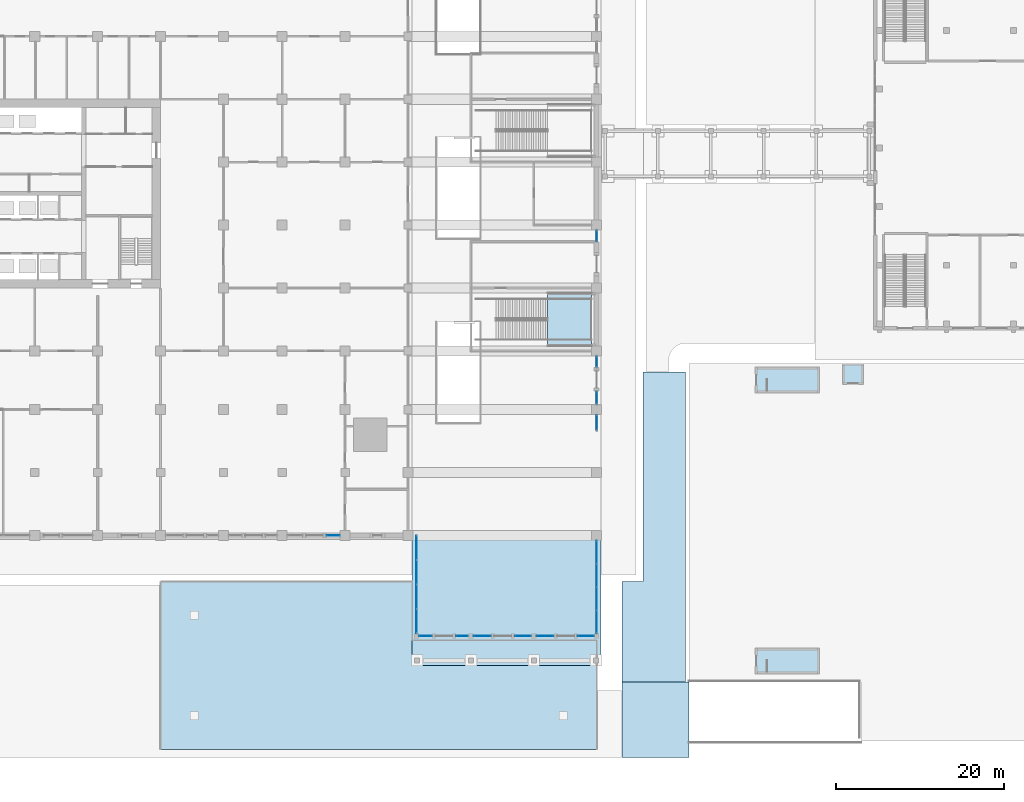
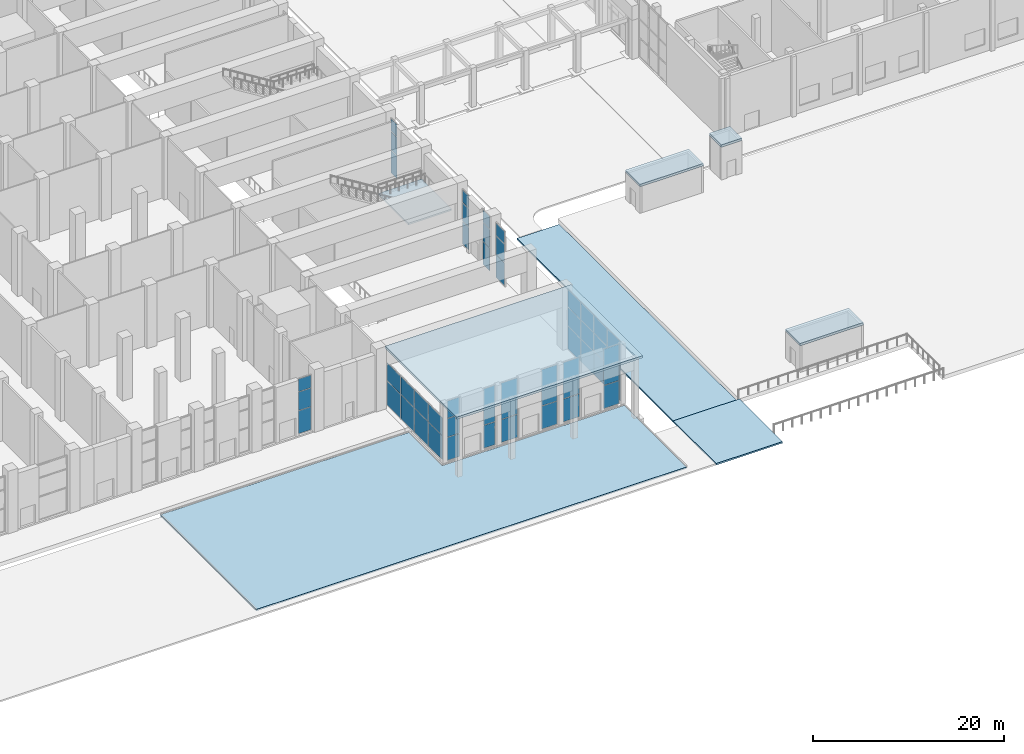
# One storey, part 19 of 57: 53 plates, 8 slabs, 14 elements without a shape of their own.
"""IFC4 building model written with IfcOpenShell, lengths in metres."""

from ifc_helpers import new_model, si_unit, direction, frame, origin, origin_2d, place, context, subcontext, project, spatial, polyline, rectangle, outline, extrude, material, layer, layer_set, type_object, element, aggregate, save


model = new_model("IFC4")

# Units and contexts
model_context = context("Model", 3, precision=1e-05, world=origin(), true_north=direction((0.0, 1.0)))
body_context = subcontext(model_context, "Body", "Model", "MODEL_VIEW")
ifc_project = project(units=[si_unit("LENGTHUNIT", "METRE"), si_unit("AREAUNIT", "SQUARE_METRE"), si_unit("VOLUMEUNIT", "CUBIC_METRE"), si_unit("PLANEANGLEUNIT", "RADIAN"), si_unit("MASSUNIT", "GRAM", prefix="KILO")], contexts=[model_context])

# Site, building, storey
site_placement = place(None, origin())
site = spatial("IfcSite", under=ifc_project, at=site_placement, CompositionType="ELEMENT")
building_placement = place(site_placement, origin())
building = spatial("IfcBuilding", under=site, at=building_placement, Name="Tamorin Gate", CompositionType="ELEMENT")
storey_placement = place(building_placement, origin())
storey = spatial("IfcBuildingStorey", under=building, at=storey_placement, Name="L00", CompositionType="ELEMENT", Elevation=0.0)

# Curtain wall, plates
ifc_material_1 = material(Name="Aluminium and glass", Category="aluminium")
ifc_layer_1 = layer(ifc_material_1, 0.199951171875)
ifc_layer_set_1 = layer_set([ifc_layer_1], Name="Station concourse glazing system")
curtain_wall_type_1 = type_object("IfcCurtainWallType", Name="Station concourse glazing system", PredefinedType="NOTDEFINED", material=ifc_layer_set_1)
curtain_wall_1_placement = place(storey_placement, origin())
curtain_wall_1 = element("IfcCurtainWall", 1, at=curtain_wall_1_placement, inside=storey, type_object=curtain_wall_type_1, Name="Station concourse glazing system L00", PredefinedType="NOTDEFINED")
ifc_material_2 = material(Name="Laminated glass", Category="glass")
ifc_layer_2 = layer(ifc_material_2, 0.028076171875)
ifc_layer_set_2 = layer_set([ifc_layer_2], Name="Concourse glass 28")
plate_type_1 = type_object("IfcPlateType", Name="Concourse glass 28", PredefinedType="CURTAIN_PANEL", material=ifc_layer_set_2)
plate_1_placement = place(storey_placement, frame((112.0, 43.949951171875, 0.080078125), z_axis=(0.0, 0.0, 1.0), x_axis=(0.0, 1.0, 0.0)))
plate_1 = element("IfcPlate", 2, at=plate_1_placement, type_object=plate_type_1, Name="CWP11 panel 1.1", PredefinedType="CURTAIN_PANEL", context=body_context, shape_type="SweptSolid", body=[
    extrude(rectangle(XDim=1.739990234375, YDim=0.028076171875, at=origin_2d()), origin(), (0.0, 0.0, 1.0), 2.8798828125),
])
plate_2_placement = place(storey_placement, frame((112.0, 43.949951171875, 3.0400390625), z_axis=(0.0, 0.0, 1.0), x_axis=(0.0, 1.0, 0.0)))
plate_2 = element("IfcPlate", 3, at=plate_2_placement, type_object=plate_type_1, Name="CWP11 panel 1.2", PredefinedType="CURTAIN_PANEL", context=body_context, shape_type="SweptSolid", body=[
    extrude(rectangle(XDim=1.739990234375, YDim=0.028076171875, at=origin_2d()), origin(), (0.0, 0.0, 1.0), 2.320068359375),
])
plate_3_placement = place(storey_placement, frame((112.0, 43.949951171875, 5.43994140625), z_axis=(0.0, 0.0, 1.0), x_axis=(0.0, 1.0, 0.0)))
plate_3 = element("IfcPlate", 4, at=plate_3_placement, type_object=plate_type_1, Name="CWP11 panel 1.3", PredefinedType="CURTAIN_PANEL", context=body_context, shape_type="SweptSolid", body=[
    extrude(rectangle(XDim=1.739990234375, YDim=0.028076171875, at=origin_2d()), origin(), (0.0, 0.0, 1.0), 1.580078125),
])
aggregate(curtain_wall_1, [plate_1, plate_2, plate_3])

curtain_wall_2_placement = place(storey_placement, origin())
curtain_wall_2 = element("IfcCurtainWall", 5, at=curtain_wall_2_placement, inside=storey, type_object=curtain_wall_type_1, Name="Station concourse glazing system L00", PredefinedType="NOTDEFINED")
plate_4_placement = place(storey_placement, frame((112.0, 46.89990234375, 0.080078125), z_axis=(0.0, 0.0, 1.0), x_axis=(0.0, 1.0, 0.0)))
plate_4 = element("IfcPlate", 6, at=plate_4_placement, type_object=plate_type_1, Name="CWP11 panel 1.1", PredefinedType="CURTAIN_PANEL", context=body_context, shape_type="SweptSolid", body=[
    extrude(rectangle(XDim=1.43994140625, YDim=0.028076171875, at=origin_2d()), origin(), (0.0, 0.0, 1.0), 2.8798828125),
])
plate_5_placement = place(storey_placement, frame((112.0, 46.89990234375, 3.0400390625), z_axis=(0.0, 0.0, 1.0), x_axis=(0.0, 1.0, 0.0)))
plate_5 = element("IfcPlate", 7, at=plate_5_placement, type_object=plate_type_1, Name="CWP11 panel 1.2", PredefinedType="CURTAIN_PANEL", context=body_context, shape_type="SweptSolid", body=[
    extrude(rectangle(XDim=1.43994140625, YDim=0.028076171875, at=origin_2d()), origin(), (0.0, 0.0, 1.0), 2.320068359375),
])
plate_6_placement = place(storey_placement, frame((112.0, 46.89990234375, 5.43994140625), z_axis=(0.0, 0.0, 1.0), x_axis=(0.0, 1.0, 0.0)))
plate_6 = element("IfcPlate", 8, at=plate_6_placement, type_object=plate_type_1, Name="CWP11 panel 1.3", PredefinedType="CURTAIN_PANEL", context=body_context, shape_type="SweptSolid", body=[
    extrude(rectangle(XDim=1.43994140625, YDim=0.028076171875, at=origin_2d()), origin(), (0.0, 0.0, 1.0), 1.580078125),
])
aggregate(curtain_wall_2, [plate_4, plate_5, plate_6])

curtain_wall_3_placement = place(storey_placement, origin())
curtain_wall_3 = element("IfcCurtainWall", 9, at=curtain_wall_3_placement, inside=storey, type_object=curtain_wall_type_1, Name="Station concourse glazing system L00", PredefinedType="NOTDEFINED")
plate_7_placement = place(storey_placement, frame((112.0, 51.199951171875, 0.080078125), z_axis=(0.0, 0.0, 1.0), x_axis=(0.0, 1.0, 0.0)))
plate_7 = element("IfcPlate", 10, at=plate_7_placement, type_object=plate_type_1, Name="CWP11 panel 1.1", PredefinedType="CURTAIN_PANEL", context=body_context, shape_type="SweptSolid", body=[
    extrude(rectangle(XDim=1.239990234375, YDim=0.028076171875, at=origin_2d()), origin(), (0.0, 0.0, 1.0), 2.8798828125),
])
plate_8_placement = place(storey_placement, frame((112.0, 51.199951171875, 3.0400390625), z_axis=(0.0, 0.0, 1.0), x_axis=(0.0, 1.0, 0.0)))
plate_8 = element("IfcPlate", 11, at=plate_8_placement, type_object=plate_type_1, Name="CWP11 panel 1.2", PredefinedType="CURTAIN_PANEL", context=body_context, shape_type="SweptSolid", body=[
    extrude(rectangle(XDim=1.239990234375, YDim=0.028076171875, at=origin_2d()), origin(), (0.0, 0.0, 1.0), 2.320068359375),
])
plate_9_placement = place(storey_placement, frame((112.0, 51.199951171875, 5.43994140625), z_axis=(0.0, 0.0, 1.0), x_axis=(0.0, 1.0, 0.0)))
plate_9 = element("IfcPlate", 12, at=plate_9_placement, type_object=plate_type_1, Name="CWP11 panel 1.3", PredefinedType="CURTAIN_PANEL", context=body_context, shape_type="SweptSolid", body=[
    extrude(rectangle(XDim=1.239990234375, YDim=0.028076171875, at=origin_2d()), origin(), (0.0, 0.0, 1.0), 1.580078125),
])
aggregate(curtain_wall_3, [plate_7, plate_8, plate_9])

curtain_wall_4_placement = place(storey_placement, origin())
curtain_wall_4 = element("IfcCurtainWall", 13, at=curtain_wall_4_placement, inside=storey, type_object=curtain_wall_type_1, Name="Station concourse glazing system L00", PredefinedType="NOTDEFINED")
plate_10_placement = place(storey_placement, frame((112.0, 66.199951171875, 0.080078125), z_axis=(0.0, 0.0, 1.0), x_axis=(0.0, 1.0, 0.0)))
plate_10 = element("IfcPlate", 14, at=plate_10_placement, type_object=plate_type_1, Name="CWP11 panel 1.1", PredefinedType="CURTAIN_PANEL", context=body_context, shape_type="SweptSolid", body=[
    extrude(rectangle(XDim=1.239990234375, YDim=0.028076171875, at=origin_2d()), origin(), (0.0, 0.0, 1.0), 2.8798828125),
])
plate_11_placement = place(storey_placement, frame((112.0, 66.199951171875, 3.0400390625), z_axis=(0.0, 0.0, 1.0), x_axis=(0.0, 1.0, 0.0)))
plate_11 = element("IfcPlate", 15, at=plate_11_placement, type_object=plate_type_1, Name="CWP11 panel 1.2", PredefinedType="CURTAIN_PANEL", context=body_context, shape_type="SweptSolid", body=[
    extrude(rectangle(XDim=1.239990234375, YDim=0.028076171875, at=origin_2d()), origin(), (0.0, 0.0, 1.0), 2.320068359375),
])
plate_12_placement = place(storey_placement, frame((112.0, 66.199951171875, 5.43994140625), z_axis=(0.0, 0.0, 1.0), x_axis=(0.0, 1.0, 0.0)))
plate_12 = element("IfcPlate", 16, at=plate_12_placement, type_object=plate_type_1, Name="CWP11 panel 1.3", PredefinedType="CURTAIN_PANEL", context=body_context, shape_type="SweptSolid", body=[
    extrude(rectangle(XDim=1.239990234375, YDim=0.028076171875, at=origin_2d()), origin(), (0.0, 0.0, 1.0), 1.580078125),
])
aggregate(curtain_wall_4, [plate_10, plate_11, plate_12])

# Slabs
ifc_material_3 = material(Name="Concrete C40/50", Category="concrete")
ifc_layer_3 = layer(ifc_material_3, 0.300048828125)
ifc_layer_set_3 = layer_set([ifc_layer_3], Name="Head-house roof slab 300 C40/50")
slab_type_1 = type_object("IfcSlabType", Name="Head-house roof slab 300 C40/50", PredefinedType="ROOF", material=ifc_layer_set_3)
slab_1_placement = place(storey_placement, frame((0.0, 0.0, 3.39990234375)))
element("IfcSlab", 17, at=slab_1_placement, inside=storey, type_object=slab_type_1, Name="Stair head-house roof", PredefinedType="ROOF", context=body_context, shape_type="SweptSolid", body=[
    extrude(outline(polyline([(138.56005859375, 14.0), (138.56005859375, 17.050048828125), (130.89990234375, 17.050048828125), (130.89990234375, 14.0), (138.56005859375, 14.0)])), origin(), (0.0, 0.0, 1.0), 0.300048828125),
])
slab_2_placement = place(storey_placement, frame((0.0, 0.0, 3.39990234375)))
element("IfcSlab", 18, at=slab_2_placement, inside=storey, type_object=slab_type_1, Name="Stair head-house roof", PredefinedType="ROOF", context=body_context, shape_type="SweptSolid", body=[
    extrude(outline(polyline([(138.56005859375, 47.5), (138.56005859375, 50.550048828125), (130.89990234375, 50.550048828125), (130.89990234375, 47.5), (138.56005859375, 47.5)])), origin(), (0.0, 0.0, 1.0), 0.300048828125),
])
slab_3_placement = place(storey_placement, frame((0.0, 0.0, 4.199951171875)))
element("IfcSlab", 19, at=slab_3_placement, inside=storey, type_object=slab_type_1, Name="Lift overrun roof", PredefinedType="ROOF", context=body_context, shape_type="SweptSolid", body=[
    extrude(outline(polyline([(143.800048828125, 48.5), (143.800048828125, 51.0), (141.300048828125, 51.0), (141.300048828125, 48.5), (143.800048828125, 48.5)])), origin(), (0.0, 0.0, 1.0), 0.300048828125),
])

# Curtain wall, plates
ifc_layer_4 = layer(ifc_material_1, 0.199951171875)
ifc_layer_set_4 = layer_set([ifc_layer_4], Name="Station pavilion glazing system")
curtain_wall_type_2 = type_object("IfcCurtainWallType", Name="Station pavilion glazing system", PredefinedType="NOTDEFINED", material=ifc_layer_set_4)
curtain_wall_5_placement = place(storey_placement, origin())
curtain_wall_5 = element("IfcCurtainWall", 20, at=curtain_wall_5_placement, inside=storey, type_object=curtain_wall_type_2, Name="Station pavilion glazing system L00", PredefinedType="NOTDEFINED")
ifc_layer_5 = layer(ifc_material_2, 0.028076171875)
ifc_layer_set_5 = layer_set([ifc_layer_5], Name="Pavilion glass 28")
plate_type_2 = type_object("IfcPlateType", Name="Pavilion glass 28", PredefinedType="CURTAIN_PANEL", material=ifc_layer_set_5)
plate_13_placement = place(storey_placement, frame((91.60009765625, 18.5, 0.06005859375), z_axis=(0.0, 0.0, 1.0), x_axis=(1.0, 0.0, 0.0)))
plate_13 = element("IfcPlate", 21, at=plate_13_placement, type_object=plate_type_2, Name="CWP12 panel 1.1", PredefinedType="CURTAIN_PANEL", context=body_context, shape_type="SweptSolid", body=[
    extrude(rectangle(XDim=1.47998046875, YDim=0.028076171875, at=origin_2d()), origin(), (0.0, 0.0, 1.0), 2.909912109375),
])
plate_14_placement = place(storey_placement, frame((91.60009765625, 18.5, 3.02978515625), z_axis=(0.0, 0.0, 1.0), x_axis=(1.0, 0.0, 0.0)))
plate_14 = element("IfcPlate", 22, at=plate_14_placement, type_object=plate_type_2, Name="CWP12 panel 1.2", PredefinedType="CURTAIN_PANEL", context=body_context, shape_type="SweptSolid", body=[
    extrude(rectangle(XDim=1.47998046875, YDim=0.028076171875, at=origin_2d()), origin(), (0.0, 0.0, 1.0), 2.340087890625),
])
plate_15_placement = place(storey_placement, frame((91.60009765625, 18.5, 5.429931640625), z_axis=(0.0, 0.0, 1.0), x_axis=(1.0, 0.0, 0.0)))
plate_15 = element("IfcPlate", 23, at=plate_15_placement, type_object=plate_type_2, Name="CWP12 panel 1.3", PredefinedType="CURTAIN_PANEL", context=body_context, shape_type="SweptSolid", body=[
    extrude(rectangle(XDim=1.47998046875, YDim=0.028076171875, at=origin_2d()), origin(), (0.0, 0.0, 1.0), 2.2099609375),
])
aggregate(curtain_wall_5, [plate_13, plate_14, plate_15])

curtain_wall_6_placement = place(storey_placement, origin())
curtain_wall_6 = element("IfcCurtainWall", 24, at=curtain_wall_6_placement, inside=storey, type_object=curtain_wall_type_2, Name="Station pavilion glazing system L00", PredefinedType="NOTDEFINED")
plate_16_placement = place(storey_placement, frame((95.949951171875, 18.5, 0.06005859375), z_axis=(0.0, 0.0, 1.0), x_axis=(1.0, 0.0, 0.0)))
plate_16 = element("IfcPlate", 25, at=plate_16_placement, type_object=plate_type_2, Name="CWP12 panel 1.1", PredefinedType="CURTAIN_PANEL", context=body_context, shape_type="SweptSolid", body=[
    extrude(rectangle(XDim=1.3798828125, YDim=0.028076171875, at=origin_2d()), origin(), (0.0, 0.0, 1.0), 2.909912109375),
])
plate_17_placement = place(storey_placement, frame((95.949951171875, 18.5, 3.02978515625), z_axis=(0.0, 0.0, 1.0), x_axis=(1.0, 0.0, 0.0)))
plate_17 = element("IfcPlate", 26, at=plate_17_placement, type_object=plate_type_2, Name="CWP12 panel 1.2", PredefinedType="CURTAIN_PANEL", context=body_context, shape_type="SweptSolid", body=[
    extrude(rectangle(XDim=1.3798828125, YDim=0.028076171875, at=origin_2d()), origin(), (0.0, 0.0, 1.0), 2.340087890625),
])
plate_18_placement = place(storey_placement, frame((95.949951171875, 18.5, 5.429931640625), z_axis=(0.0, 0.0, 1.0), x_axis=(1.0, 0.0, 0.0)))
plate_18 = element("IfcPlate", 27, at=plate_18_placement, type_object=plate_type_2, Name="CWP12 panel 1.3", PredefinedType="CURTAIN_PANEL", context=body_context, shape_type="SweptSolid", body=[
    extrude(rectangle(XDim=1.3798828125, YDim=0.028076171875, at=origin_2d()), origin(), (0.0, 0.0, 1.0), 2.2099609375),
])
aggregate(curtain_wall_6, [plate_16, plate_17, plate_18])

curtain_wall_7_placement = place(storey_placement, origin())
curtain_wall_7 = element("IfcCurtainWall", 28, at=curtain_wall_7_placement, inside=storey, type_object=curtain_wall_type_2, Name="Station pavilion glazing system L00", PredefinedType="NOTDEFINED")
plate_19_placement = place(storey_placement, frame((98.35009765625, 18.5, 0.06005859375), z_axis=(0.0, 0.0, 1.0), x_axis=(1.0, 0.0, 0.0)))
plate_19 = element("IfcPlate", 29, at=plate_19_placement, type_object=plate_type_2, Name="CWP12 panel 1.1", PredefinedType="CURTAIN_PANEL", context=body_context, shape_type="SweptSolid", body=[
    extrude(rectangle(XDim=1.97998046875, YDim=0.028076171875, at=origin_2d()), origin(), (0.0, 0.0, 1.0), 2.909912109375),
])
plate_20_placement = place(storey_placement, frame((98.35009765625, 18.5, 3.02978515625), z_axis=(0.0, 0.0, 1.0), x_axis=(1.0, 0.0, 0.0)))
plate_20 = element("IfcPlate", 30, at=plate_20_placement, type_object=plate_type_2, Name="CWP12 panel 1.2", PredefinedType="CURTAIN_PANEL", context=body_context, shape_type="SweptSolid", body=[
    extrude(rectangle(XDim=1.97998046875, YDim=0.028076171875, at=origin_2d()), origin(), (0.0, 0.0, 1.0), 2.340087890625),
])
plate_21_placement = place(storey_placement, frame((98.35009765625, 18.5, 5.429931640625), z_axis=(0.0, 0.0, 1.0), x_axis=(1.0, 0.0, 0.0)))
plate_21 = element("IfcPlate", 31, at=plate_21_placement, type_object=plate_type_2, Name="CWP12 panel 1.3", PredefinedType="CURTAIN_PANEL", context=body_context, shape_type="SweptSolid", body=[
    extrude(rectangle(XDim=1.97998046875, YDim=0.028076171875, at=origin_2d()), origin(), (0.0, 0.0, 1.0), 2.2099609375),
])
aggregate(curtain_wall_7, [plate_19, plate_20, plate_21])

curtain_wall_8_placement = place(storey_placement, origin())
curtain_wall_8 = element("IfcCurtainWall", 32, at=curtain_wall_8_placement, inside=storey, type_object=curtain_wall_type_2, Name="Station pavilion glazing system L00", PredefinedType="NOTDEFINED")
plate_22_placement = place(storey_placement, frame((103.199951171875, 18.5, 0.06005859375), z_axis=(0.0, 0.0, 1.0), x_axis=(1.0, 0.0, 0.0)))
plate_22 = element("IfcPlate", 33, at=plate_22_placement, type_object=plate_type_2, Name="CWP12 panel 1.1", PredefinedType="CURTAIN_PANEL", context=body_context, shape_type="SweptSolid", body=[
    extrude(rectangle(XDim=1.8798828125, YDim=0.028076171875, at=origin_2d()), origin(), (0.0, 0.0, 1.0), 2.909912109375),
])
plate_23_placement = place(storey_placement, frame((103.199951171875, 18.5, 3.02978515625), z_axis=(0.0, 0.0, 1.0), x_axis=(1.0, 0.0, 0.0)))
plate_23 = element("IfcPlate", 34, at=plate_23_placement, type_object=plate_type_2, Name="CWP12 panel 1.2", PredefinedType="CURTAIN_PANEL", context=body_context, shape_type="SweptSolid", body=[
    extrude(rectangle(XDim=1.8798828125, YDim=0.028076171875, at=origin_2d()), origin(), (0.0, 0.0, 1.0), 2.340087890625),
])
plate_24_placement = place(storey_placement, frame((103.199951171875, 18.5, 5.429931640625), z_axis=(0.0, 0.0, 1.0), x_axis=(1.0, 0.0, 0.0)))
plate_24 = element("IfcPlate", 35, at=plate_24_placement, type_object=plate_type_2, Name="CWP12 panel 1.3", PredefinedType="CURTAIN_PANEL", context=body_context, shape_type="SweptSolid", body=[
    extrude(rectangle(XDim=1.8798828125, YDim=0.028076171875, at=origin_2d()), origin(), (0.0, 0.0, 1.0), 2.2099609375),
])
aggregate(curtain_wall_8, [plate_22, plate_23, plate_24])

curtain_wall_9_placement = place(storey_placement, origin())
curtain_wall_9 = element("IfcCurtainWall", 36, at=curtain_wall_9_placement, inside=storey, type_object=curtain_wall_type_2, Name="Station pavilion glazing system L00", PredefinedType="NOTDEFINED")
plate_25_placement = place(storey_placement, frame((105.85009765625, 18.5, 0.06005859375), z_axis=(0.0, 0.0, 1.0), x_axis=(1.0, 0.0, 0.0)))
plate_25 = element("IfcPlate", 37, at=plate_25_placement, type_object=plate_type_2, Name="CWP12 panel 1.1", PredefinedType="CURTAIN_PANEL", context=body_context, shape_type="SweptSolid", body=[
    extrude(rectangle(XDim=1.97998046875, YDim=0.028076171875, at=origin_2d()), origin(), (0.0, 0.0, 1.0), 2.909912109375),
])
plate_26_placement = place(storey_placement, frame((105.85009765625, 18.5, 3.02978515625), z_axis=(0.0, 0.0, 1.0), x_axis=(1.0, 0.0, 0.0)))
plate_26 = element("IfcPlate", 38, at=plate_26_placement, type_object=plate_type_2, Name="CWP12 panel 1.2", PredefinedType="CURTAIN_PANEL", context=body_context, shape_type="SweptSolid", body=[
    extrude(rectangle(XDim=1.97998046875, YDim=0.028076171875, at=origin_2d()), origin(), (0.0, 0.0, 1.0), 2.340087890625),
])
plate_27_placement = place(storey_placement, frame((105.85009765625, 18.5, 5.429931640625), z_axis=(0.0, 0.0, 1.0), x_axis=(1.0, 0.0, 0.0)))
plate_27 = element("IfcPlate", 39, at=plate_27_placement, type_object=plate_type_2, Name="CWP12 panel 1.3", PredefinedType="CURTAIN_PANEL", context=body_context, shape_type="SweptSolid", body=[
    extrude(rectangle(XDim=1.97998046875, YDim=0.028076171875, at=origin_2d()), origin(), (0.0, 0.0, 1.0), 2.2099609375),
])
aggregate(curtain_wall_9, [plate_25, plate_26, plate_27])

curtain_wall_10_placement = place(storey_placement, origin())
curtain_wall_10 = element("IfcCurtainWall", 40, at=curtain_wall_10_placement, inside=storey, type_object=curtain_wall_type_2, Name="Station pavilion glazing system L00", PredefinedType="NOTDEFINED")
plate_28_placement = place(storey_placement, frame((110.699951171875, 18.5, 0.06005859375), z_axis=(0.0, 0.0, 1.0), x_axis=(1.0, 0.0, 0.0)))
plate_28 = element("IfcPlate", 41, at=plate_28_placement, type_object=plate_type_2, Name="CWP12 panel 1.1", PredefinedType="CURTAIN_PANEL", context=body_context, shape_type="SweptSolid", body=[
    extrude(rectangle(XDim=1.8798828125, YDim=0.028076171875, at=origin_2d()), origin(), (0.0, 0.0, 1.0), 2.909912109375),
])
plate_29_placement = place(storey_placement, frame((110.699951171875, 18.5, 3.02978515625), z_axis=(0.0, 0.0, 1.0), x_axis=(1.0, 0.0, 0.0)))
plate_29 = element("IfcPlate", 42, at=plate_29_placement, type_object=plate_type_2, Name="CWP12 panel 1.2", PredefinedType="CURTAIN_PANEL", context=body_context, shape_type="SweptSolid", body=[
    extrude(rectangle(XDim=1.8798828125, YDim=0.028076171875, at=origin_2d()), origin(), (0.0, 0.0, 1.0), 2.340087890625),
])
plate_30_placement = place(storey_placement, frame((110.699951171875, 18.5, 5.429931640625), z_axis=(0.0, 0.0, 1.0), x_axis=(1.0, 0.0, 0.0)))
plate_30 = element("IfcPlate", 43, at=plate_30_placement, type_object=plate_type_2, Name="CWP12 panel 1.3", PredefinedType="CURTAIN_PANEL", context=body_context, shape_type="SweptSolid", body=[
    extrude(rectangle(XDim=1.8798828125, YDim=0.028076171875, at=origin_2d()), origin(), (0.0, 0.0, 1.0), 2.2099609375),
])
aggregate(curtain_wall_10, [plate_28, plate_29, plate_30])

curtain_wall_11_placement = place(storey_placement, origin())
curtain_wall_11 = element("IfcCurtainWall", 44, at=curtain_wall_11_placement, inside=storey, type_object=curtain_wall_type_2, Name="Station pavilion glazing system L00", PredefinedType="NOTDEFINED")
plate_31_placement = place(storey_placement, frame((112.0, 20.202392578125, 0.06005859375), z_axis=(0.0, 0.0, 1.0), x_axis=(0.0, 1.0, 0.0)))
plate_31 = element("IfcPlate", 45, at=plate_31_placement, type_object=plate_type_2, Name="CWP12 panel 1.1", PredefinedType="CURTAIN_PANEL", context=body_context, shape_type="SweptSolid", body=[
    extrude(rectangle(XDim=2.68505859375, YDim=0.028076171875, at=origin_2d()), origin(), (0.0, 0.0, 1.0), 2.909912109375),
])
plate_32_placement = place(storey_placement, frame((112.0, 20.202392578125, 3.02978515625), z_axis=(0.0, 0.0, 1.0), x_axis=(0.0, 1.0, 0.0)))
plate_32 = element("IfcPlate", 46, at=plate_32_placement, type_object=plate_type_2, Name="CWP12 panel 1.2", PredefinedType="CURTAIN_PANEL", context=body_context, shape_type="SweptSolid", body=[
    extrude(rectangle(XDim=2.68505859375, YDim=0.028076171875, at=origin_2d()), origin(), (0.0, 0.0, 1.0), 2.340087890625),
])
plate_33_placement = place(storey_placement, frame((112.0, 20.202392578125, 5.429931640625), z_axis=(0.0, 0.0, 1.0), x_axis=(0.0, 1.0, 0.0)))
plate_33 = element("IfcPlate", 47, at=plate_33_placement, type_object=plate_type_2, Name="CWP12 panel 1.3", PredefinedType="CURTAIN_PANEL", context=body_context, shape_type="SweptSolid", body=[
    extrude(rectangle(XDim=2.68505859375, YDim=0.028076171875, at=origin_2d()), origin(), (0.0, 0.0, 1.0), 2.2099609375),
])
plate_34_placement = place(storey_placement, frame((112.0, 22.96240234375, 0.06005859375), z_axis=(0.0, 0.0, 1.0), x_axis=(0.0, 1.0, 0.0)))
plate_34 = element("IfcPlate", 48, at=plate_34_placement, type_object=plate_type_2, Name="CWP12 panel 2.1", PredefinedType="CURTAIN_PANEL", context=body_context, shape_type="SweptSolid", body=[
    extrude(rectangle(XDim=2.715087890625, YDim=0.028076171875, at=origin_2d()), origin(), (0.0, 0.0, 1.0), 2.909912109375),
])
plate_35_placement = place(storey_placement, frame((112.0, 22.96240234375, 3.02978515625), z_axis=(0.0, 0.0, 1.0), x_axis=(0.0, 1.0, 0.0)))
plate_35 = element("IfcPlate", 49, at=plate_35_placement, type_object=plate_type_2, Name="CWP12 panel 2.2", PredefinedType="CURTAIN_PANEL", context=body_context, shape_type="SweptSolid", body=[
    extrude(rectangle(XDim=2.715087890625, YDim=0.028076171875, at=origin_2d()), origin(), (0.0, 0.0, 1.0), 2.340087890625),
])
plate_36_placement = place(storey_placement, frame((112.0, 22.96240234375, 5.429931640625), z_axis=(0.0, 0.0, 1.0), x_axis=(0.0, 1.0, 0.0)))
plate_36 = element("IfcPlate", 50, at=plate_36_placement, type_object=plate_type_2, Name="CWP12 panel 2.3", PredefinedType="CURTAIN_PANEL", context=body_context, shape_type="SweptSolid", body=[
    extrude(rectangle(XDim=2.715087890625, YDim=0.028076171875, at=origin_2d()), origin(), (0.0, 0.0, 1.0), 2.2099609375),
])
plate_37_placement = place(storey_placement, frame((112.0, 25.737548828125, 0.06005859375), z_axis=(0.0, 0.0, 1.0), x_axis=(0.0, 1.0, 0.0)))
plate_37 = element("IfcPlate", 51, at=plate_37_placement, type_object=plate_type_2, Name="CWP12 panel 3.1", PredefinedType="CURTAIN_PANEL", context=body_context, shape_type="SweptSolid", body=[
    extrude(rectangle(XDim=2.715087890625, YDim=0.028076171875, at=origin_2d()), origin(), (0.0, 0.0, 1.0), 2.909912109375),
])
plate_38_placement = place(storey_placement, frame((112.0, 25.737548828125, 3.02978515625), z_axis=(0.0, 0.0, 1.0), x_axis=(0.0, 1.0, 0.0)))
plate_38 = element("IfcPlate", 52, at=plate_38_placement, type_object=plate_type_2, Name="CWP12 panel 3.2", PredefinedType="CURTAIN_PANEL", context=body_context, shape_type="SweptSolid", body=[
    extrude(rectangle(XDim=2.715087890625, YDim=0.028076171875, at=origin_2d()), origin(), (0.0, 0.0, 1.0), 2.340087890625),
])
plate_39_placement = place(storey_placement, frame((112.0, 25.737548828125, 5.429931640625), z_axis=(0.0, 0.0, 1.0), x_axis=(0.0, 1.0, 0.0)))
plate_39 = element("IfcPlate", 53, at=plate_39_placement, type_object=plate_type_2, Name="CWP12 panel 3.3", PredefinedType="CURTAIN_PANEL", context=body_context, shape_type="SweptSolid", body=[
    extrude(rectangle(XDim=2.715087890625, YDim=0.028076171875, at=origin_2d()), origin(), (0.0, 0.0, 1.0), 2.2099609375),
])
plate_40_placement = place(storey_placement, frame((112.0, 28.49755859375, 0.06005859375), z_axis=(0.0, 0.0, 1.0), x_axis=(0.0, 1.0, 0.0)))
plate_40 = element("IfcPlate", 54, at=plate_40_placement, type_object=plate_type_2, Name="CWP12 panel 4.1", PredefinedType="CURTAIN_PANEL", context=body_context, shape_type="SweptSolid", body=[
    extrude(rectangle(XDim=2.68505859375, YDim=0.028076171875, at=origin_2d()), origin(), (0.0, 0.0, 1.0), 2.909912109375),
])
plate_41_placement = place(storey_placement, frame((112.0, 28.49755859375, 3.02978515625), z_axis=(0.0, 0.0, 1.0), x_axis=(0.0, 1.0, 0.0)))
plate_41 = element("IfcPlate", 55, at=plate_41_placement, type_object=plate_type_2, Name="CWP12 panel 4.2", PredefinedType="CURTAIN_PANEL", context=body_context, shape_type="SweptSolid", body=[
    extrude(rectangle(XDim=2.68505859375, YDim=0.028076171875, at=origin_2d()), origin(), (0.0, 0.0, 1.0), 2.340087890625),
])
plate_42_placement = place(storey_placement, frame((112.0, 28.49755859375, 5.429931640625), z_axis=(0.0, 0.0, 1.0), x_axis=(0.0, 1.0, 0.0)))
plate_42 = element("IfcPlate", 56, at=plate_42_placement, type_object=plate_type_2, Name="CWP12 panel 4.3", PredefinedType="CURTAIN_PANEL", context=body_context, shape_type="SweptSolid", body=[
    extrude(rectangle(XDim=2.68505859375, YDim=0.028076171875, at=origin_2d()), origin(), (0.0, 0.0, 1.0), 2.2099609375),
])
aggregate(curtain_wall_11, [plate_31, plate_32, plate_33, plate_34, plate_35, plate_36, plate_37, plate_38, plate_39, plate_40, plate_41, plate_42])

curtain_wall_12_placement = place(storey_placement, origin())
curtain_wall_12 = element("IfcCurtainWall", 57, at=curtain_wall_12_placement, inside=storey, type_object=curtain_wall_type_2, Name="Station pavilion glazing system L00", PredefinedType="NOTDEFINED")
plate_43_placement = place(storey_placement, frame((90.5, 20.277587890625, 0.06005859375), z_axis=(0.0, 0.0, 1.0), x_axis=(0.0, 1.0, 0.0)))
plate_43 = element("IfcPlate", 58, at=plate_43_placement, type_object=plate_type_2, Name="CWP12 panel 1.1", PredefinedType="CURTAIN_PANEL", context=body_context, shape_type="SweptSolid", body=[
    extrude(rectangle(XDim=2.8349609375, YDim=0.028076171875, at=origin_2d()), origin(), (0.0, 0.0, 1.0), 3.06005859375),
])
plate_44_placement = place(storey_placement, frame((90.5, 20.277587890625, 3.18017578125), z_axis=(0.0, 0.0, 1.0), x_axis=(0.0, 1.0, 0.0)))
plate_44 = element("IfcPlate", 59, at=plate_44_placement, type_object=plate_type_2, Name="CWP12 panel 1.2", PredefinedType="CURTAIN_PANEL", context=body_context, shape_type="SweptSolid", body=[
    extrude(rectangle(XDim=2.8349609375, YDim=0.028076171875, at=origin_2d()), origin(), (0.0, 0.0, 1.0), 2.260009765625),
])
plate_45_placement = place(storey_placement, frame((90.5, 23.1875, 0.06005859375), z_axis=(0.0, 0.0, 1.0), x_axis=(0.0, 1.0, 0.0)))
plate_45 = element("IfcPlate", 60, at=plate_45_placement, type_object=plate_type_2, Name="CWP12 panel 2.1", PredefinedType="CURTAIN_PANEL", context=body_context, shape_type="SweptSolid", body=[
    extrude(rectangle(XDim=2.864990234375, YDim=0.028076171875, at=origin_2d()), origin(), (0.0, 0.0, 1.0), 3.06005859375),
])
plate_46_placement = place(storey_placement, frame((90.5, 23.1875, 3.18017578125), z_axis=(0.0, 0.0, 1.0), x_axis=(0.0, 1.0, 0.0)))
plate_46 = element("IfcPlate", 61, at=plate_46_placement, type_object=plate_type_2, Name="CWP12 panel 2.2", PredefinedType="CURTAIN_PANEL", context=body_context, shape_type="SweptSolid", body=[
    extrude(rectangle(XDim=2.864990234375, YDim=0.028076171875, at=origin_2d()), origin(), (0.0, 0.0, 1.0), 2.260009765625),
])
plate_47_placement = place(storey_placement, frame((90.5, 26.112548828125, 0.06005859375), z_axis=(0.0, 0.0, 1.0), x_axis=(0.0, 1.0, 0.0)))
plate_47 = element("IfcPlate", 62, at=plate_47_placement, type_object=plate_type_2, Name="CWP12 panel 3.1", PredefinedType="CURTAIN_PANEL", context=body_context, shape_type="SweptSolid", body=[
    extrude(rectangle(XDim=2.864990234375, YDim=0.028076171875, at=origin_2d()), origin(), (0.0, 0.0, 1.0), 3.06005859375),
])
plate_48_placement = place(storey_placement, frame((90.5, 26.112548828125, 3.18017578125), z_axis=(0.0, 0.0, 1.0), x_axis=(0.0, 1.0, 0.0)))
plate_48 = element("IfcPlate", 63, at=plate_48_placement, type_object=plate_type_2, Name="CWP12 panel 3.2", PredefinedType="CURTAIN_PANEL", context=body_context, shape_type="SweptSolid", body=[
    extrude(rectangle(XDim=2.864990234375, YDim=0.028076171875, at=origin_2d()), origin(), (0.0, 0.0, 1.0), 2.260009765625),
])
plate_49_placement = place(storey_placement, frame((90.5, 29.0224609375, 0.06005859375), z_axis=(0.0, 0.0, 1.0), x_axis=(0.0, 1.0, 0.0)))
plate_49 = element("IfcPlate", 64, at=plate_49_placement, type_object=plate_type_2, Name="CWP12 panel 4.1", PredefinedType="CURTAIN_PANEL", context=body_context, shape_type="SweptSolid", body=[
    extrude(rectangle(XDim=2.8349609375, YDim=0.028076171875, at=origin_2d()), origin(), (0.0, 0.0, 1.0), 3.06005859375),
])
plate_50_placement = place(storey_placement, frame((90.5, 29.0224609375, 3.18017578125), z_axis=(0.0, 0.0, 1.0), x_axis=(0.0, 1.0, 0.0)))
plate_50 = element("IfcPlate", 65, at=plate_50_placement, type_object=plate_type_2, Name="CWP12 panel 4.2", PredefinedType="CURTAIN_PANEL", context=body_context, shape_type="SweptSolid", body=[
    extrude(rectangle(XDim=2.8349609375, YDim=0.028076171875, at=origin_2d()), origin(), (0.0, 0.0, 1.0), 2.260009765625),
])
aggregate(curtain_wall_12, [plate_43, plate_44, plate_45, plate_46, plate_47, plate_48, plate_49, plate_50])

# Slabs
ifc_layer_6 = layer(ifc_material_3, 0.300048828125)
ifc_layer_set_6 = layer_set([ifc_layer_6], Name="Pavilion roof slab 300")
slab_type_2 = type_object("IfcSlabType", Name="Pavilion roof slab 300", PredefinedType="ROOF", material=ifc_layer_set_6)
slab_4_placement = place(storey_placement, frame((0.0, 0.0, 7.699951171875)))
element("IfcSlab", 66, at=slab_4_placement, inside=storey, type_object=slab_type_2, Name="Pavilion roof", PredefinedType="ROOF", context=body_context, shape_type="SweptSolid", body=[
    extrude(outline(polyline([(90.0, 15.0), (112.5, 15.0), (112.5, 30.0), (90.0, 30.0), (90.0, 15.0)])), origin(), (0.0, 0.0, 1.0), 0.300048828125),
])
ifc_material_4 = material(Name="Concrete C30/37", Category="concrete")
ifc_layer_7 = layer(ifc_material_4, 0.199951171875)
ifc_layer_set_7 = layer_set([ifc_layer_7], Name="Paving slab 200 C30/37")
slab_type_3 = type_object("IfcSlabType", Name="Paving slab 200 C30/37", PredefinedType="BASESLAB", material=ifc_layer_set_7)
slab_5_placement = place(storey_placement, frame((0.0, 0.0, -0.199951171875)))
element("IfcSlab", 67, at=slab_5_placement, inside=storey, type_object=slab_type_3, Name="Plaza paving", PredefinedType="BASESLAB", context=body_context, shape_type="SweptSolid", body=[
    extrude(outline(polyline([(115.0, 25.0), (117.5, 25.0), (117.5, 50.0), (122.60009765625, 50.0), (122.60009765625, 13.0), (115.0, 13.0), (115.0, 25.0)])), origin(), (0.0, 0.0, 1.0), 0.199951171875),
])
slab_6_placement = place(storey_placement, frame((0.0, 0.0, -0.199951171875)))
element("IfcSlab", 68, at=slab_6_placement, inside=storey, type_object=slab_type_3, Name="Entrance apron paving", PredefinedType="BASESLAB", context=body_context, shape_type="SweptSolid", body=[
    extrude(outline(polyline([(115.0, 4.0), (115.0, 13.0), (123.0, 13.0), (123.0, 4.0), (115.0, 4.0)])), origin(), (0.0, 0.0, 1.0), 0.199951171875),
])
slab_7_placement = place(storey_placement, frame((0.0, 0.0, -0.199951171875)))
element("IfcSlab", 69, at=slab_7_placement, inside=storey, type_object=slab_type_3, Name="Drop-off paving", PredefinedType="BASESLAB", context=body_context, shape_type="SweptSolid", body=[
    extrude(outline(polyline([(112.0, 5.0), (60.0, 5.0), (60.0, 25.0), (90.0, 25.0), (90.0, 18.0), (112.0, 18.0), (112.0, 5.0)])), origin(), (0.0, 0.0, 1.0), 0.199951171875),
])

# Stair, slab
ifc_material_5 = material(Name="Reinforced concrete C32/40", Category="concrete")
stair_type = type_object("IfcStairType", Name="Podium stair PS", PredefinedType="HALF_TURN_STAIR", material=ifc_material_5)
stair_placement = place(storey_placement, origin())
stair = element("IfcStair", 70, at=stair_placement, inside=storey, type_object=stair_type, Name="L00 Podium stair PS3", PredefinedType="HALF_TURN_STAIR")
ifc_layer_8 = layer(ifc_material_5, 0.199951171875)
ifc_layer_set_8 = layer_set([ifc_layer_8], Name="Stair landing 200")
slab_type_4 = type_object("IfcSlabType", Name="Stair landing 200", PredefinedType="LANDING", material=ifc_layer_set_8)
slab_8_placement = place(storey_placement, frame((0.0, 0.0, 3.800048828125)))
slab_8 = element("IfcSlab", 71, at=slab_8_placement, type_object=slab_type_4, Name="PS3 landing 1", PredefinedType="LANDING", context=body_context, shape_type="SweptSolid", body=[
    extrude(outline(polyline([(111.39990234375, 53.10009765625), (111.39990234375, 59.39990234375), (106.159912109375, 59.39990234375), (106.159912109375, 53.10009765625), (111.39990234375, 53.10009765625)])), origin(), (0.0, 0.0, 1.0), 0.199951171875),
])
aggregate(stair, [slab_8])

# Curtain wall, plates
ifc_layer_9 = layer(ifc_material_1, 0.199951171875)
ifc_layer_set_9 = layer_set([ifc_layer_9], Name="Retail storefront system")
curtain_wall_type_3 = type_object("IfcCurtainWallType", Name="Retail storefront system", PredefinedType="NOTDEFINED", material=ifc_layer_set_9)
curtain_wall_13_placement = place(storey_placement, origin())
curtain_wall_13 = element("IfcCurtainWall", 72, at=curtain_wall_13_placement, inside=storey, type_object=curtain_wall_type_3, Name="Retail storefront system L00", PredefinedType="NOTDEFINED")
ifc_layer_10 = layer(ifc_material_2, 0.028076171875)
ifc_layer_set_10 = layer_set([ifc_layer_10], Name="Storefront glass 28")
plate_type_3 = type_object("IfcPlateType", Name="Storefront glass 28", PredefinedType="CURTAIN_PANEL", material=ifc_layer_set_10)
plate_51_placement = place(storey_placement, frame((80.574951171875, 30.5, 0.06005859375), z_axis=(0.0, 0.0, 1.0), x_axis=(1.0, 0.0, 0.0)))
plate_51 = element("IfcPlate", 73, at=plate_51_placement, type_object=plate_type_3, Name="CWP10 panel 1.1", PredefinedType="CURTAIN_PANEL", context=body_context, shape_type="SweptSolid", body=[
    extrude(rectangle(XDim=1.530029296875, YDim=0.028076171875, at=origin_2d()), origin(), (0.0, 0.0, 1.0), 2.909912109375),
])
plate_52_placement = place(storey_placement, frame((80.574951171875, 30.5, 3.02978515625), z_axis=(0.0, 0.0, 1.0), x_axis=(1.0, 0.0, 0.0)))
plate_52 = element("IfcPlate", 74, at=plate_52_placement, type_object=plate_type_3, Name="CWP10 panel 1.2", PredefinedType="CURTAIN_PANEL", context=body_context, shape_type="SweptSolid", body=[
    extrude(rectangle(XDim=1.530029296875, YDim=0.028076171875, at=origin_2d()), origin(), (0.0, 0.0, 1.0), 2.340087890625),
])
plate_53_placement = place(storey_placement, frame((80.574951171875, 30.5, 5.43017578125), z_axis=(0.0, 0.0, 1.0), x_axis=(1.0, 0.0, 0.0)))
plate_53 = element("IfcPlate", 75, at=plate_53_placement, type_object=plate_type_3, Name="CWP10 panel 1.3", PredefinedType="CURTAIN_PANEL", context=body_context, shape_type="SweptSolid", body=[
    extrude(rectangle(XDim=1.530029296875, YDim=0.028076171875, at=origin_2d()), origin(), (0.0, 0.0, 1.0), 1.610107421875),
])
aggregate(curtain_wall_13, [plate_51, plate_52, plate_53])

save(model, "model.ifc")
